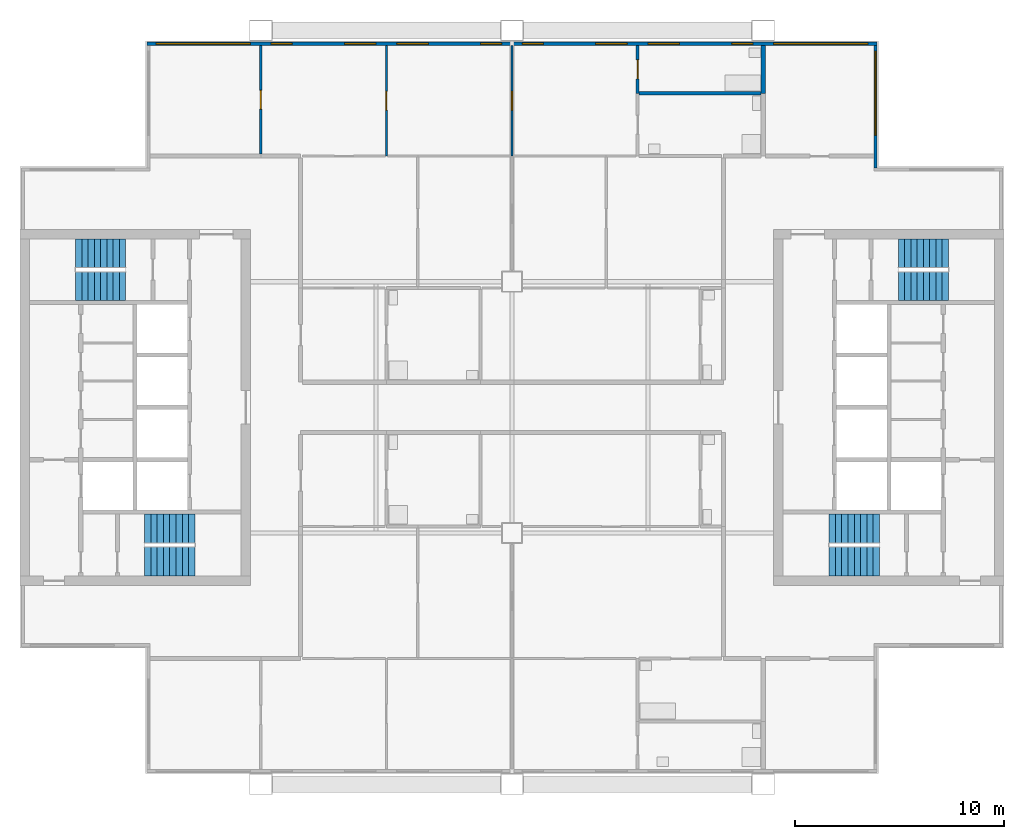
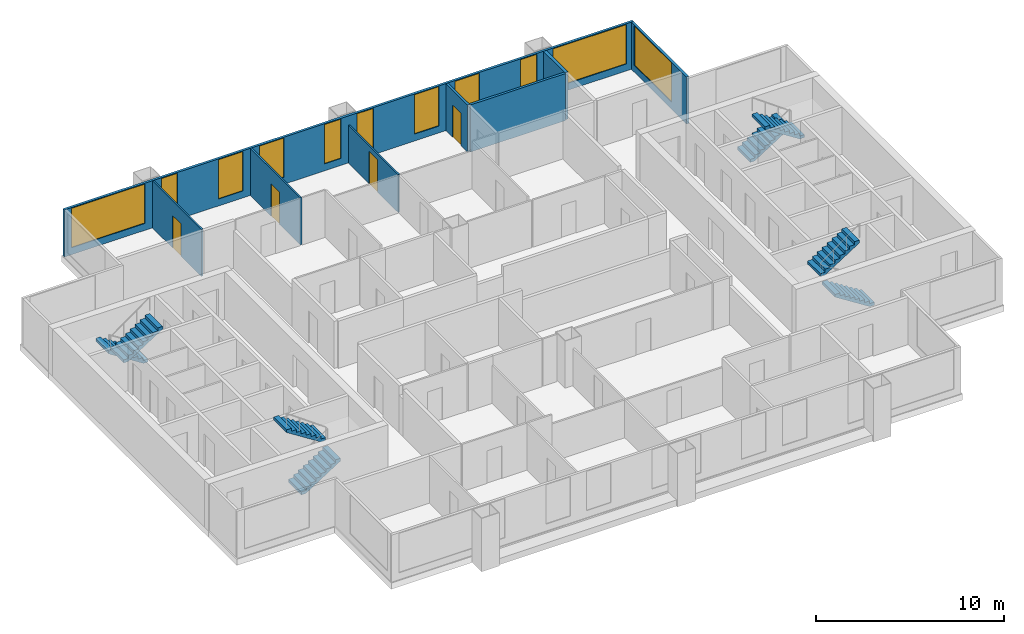
# One storey, part 6 of 8: 11 windows, 8 stair flights, 8 walls, 4 doors, 15 openings, 4 elements without a shape of their own.
"""IFC4 building model written with IfcOpenShell, lengths in metres."""

from ifc_helpers import new_model, si_unit, direction, frame, frame_2d, origin, place, context, subcontext, project, spatial, polyline, rectangle, outline, extrude, material, layer, layer_set, type_object, element, fill, aggregate, save


model = new_model("IFC4")

# Units and contexts
model_context = context("Model", 3, precision=1e-05, world=origin(), true_north=direction((0.0, 1.0)))
body_context = subcontext(model_context, "Body", "Model", "MODEL_VIEW")
ifc_project = project(units=[si_unit("LENGTHUNIT", "METRE"), si_unit("AREAUNIT", "SQUARE_METRE"), si_unit("VOLUMEUNIT", "CUBIC_METRE"), si_unit("PLANEANGLEUNIT", "RADIAN"), si_unit("MASSUNIT", "GRAM", prefix="KILO")], contexts=[model_context])

# Site, building, storey
site_placement = place(None, origin())
site = spatial("IfcSite", under=ifc_project, at=site_placement, CompositionType="ELEMENT")
building_placement = place(site_placement, origin())
building = spatial("IfcBuilding", under=site, at=building_placement, Name="Kitamizu Gate Tower and Museum", CompositionType="ELEMENT")
storey_placement = place(building_placement, frame((0.0, 0.0, 231.75)))
storey = spatial("IfcBuildingStorey", under=building, at=storey_placement, Name="L62", CompositionType="ELEMENT", Elevation=231.75)

# Wall, opening, door
ifc_material_1 = material(Name="Gypsum board on galvanised stud")
ifc_layer_1 = layer(ifc_material_1, 0.10009765625)
ifc_layer_set_1 = layer_set([ifc_layer_1], Name="Gypsum board on galvanised stud")
wall_type_1 = type_object("IfcWallType", Name="Partition 100 NOT RATED", PredefinedType="PARTITIONING", material=ifc_layer_set_1)
wall_1_placement = place(storey_placement, frame((24.0, 42.10009765625, 0.0), z_axis=(0.0, 0.0, 1.0), x_axis=(0.0, 1.0, 0.0)))
wall_1 = element("IfcWall", 1, at=wall_1_placement, inside=storey, type_object=wall_type_1, Name="Partition L62-038", PredefinedType="PARTITIONING", context=body_context, shape_type="SweptSolid", body=[
    extrude(rectangle(XDim=5.179931640625, YDim=0.10009765625, at=frame_2d((2.58984375, 0.0))), origin(), (0.0, 0.0, 1.0), 3.050048828125),
])
opening_1_placement = place(wall_1_placement, frame((2.139892578125, 0.0, 0.0)))
opening_1 = element("IfcOpeningElement", 2, at=opening_1_placement, cuts=wall_1, Name="Opening L62-027", PredefinedType="OPENING", context=body_context, shape_type="SweptSolid", body=[
    extrude(rectangle(XDim=0.89990234375, YDim=2.10009765625, at=frame_2d((0.449951171875, 1.050048828125))), frame((0.0, 0.06005859375, 0.0), z_axis=(0.0, -1.0, 0.0), x_axis=(1.0, 0.0, 0.0)), (0.0, 0.0, 1.0), 0.1201171875),
])
ifc_material_2 = material(Name="Timber door set", Category="wood")
door_type_1 = type_object("IfcDoorType", Name="Room door 900", OperationType="NOTDEFINED", PredefinedType="DOOR", material=ifc_material_2)
door_1_placement = place(opening_1_placement, origin())
door_1 = element("IfcDoor", 3, at=door_1_placement, inside=storey, type_object=door_type_1, Name="Door L62-027", OperationType="SINGLE_SWING_RIGHT", OverallHeight=2.10009765625, OverallWidth=0.89990234375, PredefinedType="DOOR", context=body_context, shape_type="SweptSolid", body=[
    extrude(rectangle(XDim=0.89990234375, YDim=2.10009765625, at=frame_2d((0.449951171875, 1.050048828125))), frame((0.0, 0.02490234375, 0.0), z_axis=(0.0, -1.0, 0.0), x_axis=(1.0, 0.0, 0.0)), (0.0, 0.0, 1.0), 0.050048828125),
])
fill(opening_1, door_1)

wall_2_placement = place(storey_placement, frame((30.0, 42.0, 0.0), z_axis=(0.0, 0.0, 1.0), x_axis=(0.0, 1.0, 0.0)))
wall_2 = element("IfcWall", 4, at=wall_2_placement, inside=storey, type_object=wall_type_1, Name="Partition L62-040", PredefinedType="PARTITIONING", context=body_context, shape_type="SweptSolid", body=[
    extrude(rectangle(XDim=5.280029296875, YDim=0.10009765625, at=frame_2d((2.64013671875, 0.0))), origin(), (0.0, 0.0, 1.0), 3.050048828125),
])
opening_2_placement = place(wall_2_placement, frame((2.18994140625, 0.0, 0.0)))
opening_2 = element("IfcOpeningElement", 5, at=opening_2_placement, cuts=wall_2, Name="Opening L62-018", PredefinedType="OPENING", context=body_context, shape_type="SweptSolid", body=[
    extrude(rectangle(XDim=0.89990234375, YDim=2.10009765625, at=frame_2d((0.449951171875, 1.050048828125))), frame((0.0, 0.06005859375, 0.0), z_axis=(0.0, -1.0, 0.0), x_axis=(1.0, 0.0, 0.0)), (0.0, 0.0, 1.0), 0.1201171875),
])
door_2_placement = place(opening_2_placement, origin())
door_2 = element("IfcDoor", 6, at=door_2_placement, inside=storey, type_object=door_type_1, Name="Door L62-018", OperationType="SINGLE_SWING_LEFT", OverallHeight=2.10009765625, OverallWidth=0.89990234375, PredefinedType="DOOR", context=body_context, shape_type="SweptSolid", body=[
    extrude(rectangle(XDim=0.89990234375, YDim=2.10009765625, at=frame_2d((0.449951171875, 1.050048828125))), frame((0.0, 0.02490234375, 0.0), z_axis=(0.0, -1.0, 0.0), x_axis=(1.0, 0.0, 0.0)), (0.0, 0.0, 1.0), 0.050048828125),
])
fill(opening_2, door_2)

wall_3_placement = place(storey_placement, frame((36.0, 42.0, 0.0), z_axis=(0.0, 0.0, 1.0), x_axis=(0.0, 1.0, 0.0)))
wall_3 = element("IfcWall", 7, at=wall_3_placement, inside=storey, type_object=wall_type_1, Name="Partition L62-043", PredefinedType="PARTITIONING", context=body_context, shape_type="SweptSolid", body=[
    extrude(rectangle(XDim=5.280029296875, YDim=0.10009765625, at=frame_2d((2.64013671875, 0.0))), origin(), (0.0, 0.0, 1.0), 2.449951171875),
])
opening_3_placement = place(wall_3_placement, frame((2.18994140625, 0.0, 0.0)))
opening_3 = element("IfcOpeningElement", 8, at=opening_3_placement, cuts=wall_3, Name="Opening L62-019", PredefinedType="OPENING", context=body_context, shape_type="SweptSolid", body=[
    extrude(rectangle(XDim=0.89990234375, YDim=2.10009765625, at=frame_2d((0.449951171875, 1.050048828125))), frame((0.0, 0.06005859375, 0.0), z_axis=(0.0, -1.0, 0.0), x_axis=(1.0, 0.0, 0.0)), (0.0, 0.0, 1.0), 0.1201171875),
])
door_3_placement = place(opening_3_placement, origin())
door_3 = element("IfcDoor", 9, at=door_3_placement, inside=storey, type_object=door_type_1, Name="Door L62-019", OperationType="SINGLE_SWING_RIGHT", OverallHeight=2.10009765625, OverallWidth=0.89990234375, PredefinedType="DOOR", context=body_context, shape_type="SweptSolid", body=[
    extrude(rectangle(XDim=0.89990234375, YDim=2.10009765625, at=frame_2d((0.449951171875, 1.050048828125))), frame((0.0, 0.02490234375, 0.0), z_axis=(0.0, -1.0, 0.0), x_axis=(1.0, 0.0, 0.0)), (0.0, 0.0, 1.0), 0.050048828125),
])
fill(opening_3, door_3)

ifc_material_3 = material(Name="Gypsum board on galvanised stud")
ifc_layer_2 = layer(ifc_material_3, 0.14990234375)
ifc_layer_set_2 = layer_set([ifc_layer_2], Name="Gypsum board on galvanised stud")
wall_type_2 = type_object("IfcWallType", Name="Partition 150", PredefinedType="PARTITIONING", material=ifc_layer_set_2)
wall_4_placement = place(storey_placement, frame((42.0, 45.0, 0.0), z_axis=(0.0, 0.0, 1.0), x_axis=(0.0, 1.0, 0.0)))
wall_4 = element("IfcWall", 10, at=wall_4_placement, inside=storey, type_object=wall_type_2, Name="Partition L62-047", PredefinedType="PARTITIONING", context=body_context, shape_type="SweptSolid", body=[
    extrude(rectangle(XDim=2.280029296875, YDim=0.14990234375, at=frame_2d((1.14013671875, 0.0))), origin(), (0.0, 0.0, 1.0), 3.050048828125),
])
opening_4_placement = place(wall_4_placement, frame((0.68994140625, 0.0, 0.0)))
opening_4 = element("IfcOpeningElement", 11, at=opening_4_placement, cuts=wall_4, Name="Opening L62-021", PredefinedType="OPENING", context=body_context, shape_type="SweptSolid", body=[
    extrude(rectangle(XDim=0.89990234375, YDim=2.10009765625, at=frame_2d((0.449951171875, 1.050048828125))), frame((0.0, 0.0849609375, 0.0), z_axis=(0.0, -1.0, 0.0), x_axis=(1.0, 0.0, 0.0)), (0.0, 0.0, 1.0), 0.169921875),
])
ifc_material_4 = material(Name="Timber door set", Category="wood")
door_type_2 = type_object("IfcDoorType", Name="Bathroom door 900", OperationType="NOTDEFINED", PredefinedType="DOOR", material=ifc_material_4)
door_4_placement = place(opening_4_placement, frame((0.89990234375, 0.0, 0.0), x_axis=(-1.0, 0.0, 0.0)))
door_4 = element("IfcDoor", 12, at=door_4_placement, inside=storey, type_object=door_type_2, Name="Bathroom door L62-021", OperationType="SINGLE_SWING_LEFT", OverallHeight=2.10009765625, OverallWidth=0.89990234375, PredefinedType="DOOR", context=body_context, shape_type="SweptSolid", body=[
    extrude(rectangle(XDim=0.89990234375, YDim=2.10009765625, at=frame_2d((0.449951171875, 1.050048828125))), frame((0.0, 0.02490234375, 0.0), z_axis=(0.0, -1.0, 0.0), x_axis=(1.0, 0.0, 0.0)), (0.0, 0.0, 1.0), 0.050048828125),
])
fill(opening_4, door_4)

# Walls
wall_5_placement = place(storey_placement, frame((47.89990234375, 45.0, 0.0), z_axis=(0.0, 0.0, 1.0), x_axis=(-1.0, 0.0, 0.0)))
element("IfcWall", 13, at=wall_5_placement, inside=storey, type_object=wall_type_2, Name="Partition L62-050", PredefinedType="PARTITIONING", context=body_context, shape_type="SweptSolid", body=[
    extrude(rectangle(XDim=5.824951171875, YDim=0.14990234375, at=frame_2d((2.91259765625, 0.0))), origin(), (0.0, 0.0, 1.0), 3.050048828125),
])
ifc_material_5 = material(Name="Gypsum board on galvanised stud")
ifc_layer_3 = layer(ifc_material_5, 0.199951171875)
ifc_layer_set_3 = layer_set([ifc_layer_3], Name="Gypsum board on galvanised stud")
wall_type_3 = type_object("IfcWallType", Name="Partition 200", PredefinedType="PARTITIONING", material=ifc_layer_set_3)
wall_6_placement = place(storey_placement, frame((48.0, 45.0, 0.0), z_axis=(0.0, 0.0, 1.0), x_axis=(0.0, 1.0, 0.0)))
element("IfcWall", 14, at=wall_6_placement, inside=storey, type_object=wall_type_3, Name="Partition L62-054", PredefinedType="PARTITIONING", context=body_context, shape_type="SweptSolid", body=[
    extrude(rectangle(XDim=2.280029296875, YDim=0.199951171875, at=frame_2d((1.14013671875, 0.0))), origin(), (0.0, 0.0, 1.0), 3.050048828125),
])

# Wall, opening, window
ifc_material_6 = material(Name="Bronze anodised aluminium frame with insulated spandrel and tinted glass", Category="aluminium")
ifc_layer_4 = layer(ifc_material_6, 0.14990234375)
ifc_layer_set_4 = layer_set([ifc_layer_4], Name="Bronze anodised aluminium frame with insulated spandrel and tinted glass")
wall_type_4 = type_object("IfcWallType", Name="WINDOW WALL 150 BRONZE FRAME EI 30", PredefinedType="ELEMENTEDWALL", material=ifc_layer_set_4)
wall_7_placement = place(storey_placement, frame((53.364990234375, 41.43994140625, 0.0), z_axis=(0.0, 0.0, 1.0), x_axis=(0.0, 1.0, 0.0)))
wall_7 = element("IfcWall", 15, at=wall_7_placement, inside=storey, type_object=wall_type_4, Name="Window wall east L62", PredefinedType="ELEMENTEDWALL", context=body_context, shape_type="SweptSolid", body=[
    extrude(rectangle(XDim=5.85009765625, YDim=0.14990234375, at=frame_2d((2.925048828125, 0.0))), origin(), (0.0, 0.0, 1.0), 3.050048828125),
])
opening_5_placement = place(wall_7_placement, frame((1.56005859375, 0.0, 0.449951171875)))
opening_5 = element("IfcOpeningElement", 16, at=opening_5_placement, cuts=wall_7, Name="Opening W16", PredefinedType="OPENING", context=body_context, shape_type="SweptSolid", body=[
    extrude(rectangle(XDim=4.0, YDim=2.550048828125, at=frame_2d((2.0, 1.27490234375))), frame((0.0, 0.0849609375, 0.0), z_axis=(0.0, -1.0, 0.0), x_axis=(1.0, 0.0, 0.0)), (0.0, 0.0, 1.0), 0.169921875),
])
ifc_material_7 = material(Name="Bronze anodised aluminium frame, tinted triple glazing", Category="aluminium")
window_type_1 = type_object("IfcWindowType", Name="WINDOW 4000 x 2550 SILL 450", PartitioningType="SINGLE_PANEL", PredefinedType="WINDOW", material=ifc_material_7)
window_1_placement = place(opening_5_placement, origin())
window_1 = element("IfcWindow", 17, at=window_1_placement, inside=storey, type_object=window_type_1, Name="Window W16 L62", OverallHeight=2.550048828125, OverallWidth=4.0, PartitioningType="SINGLE_PANEL", PredefinedType="WINDOW", context=body_context, shape_type="SweptSolid", body=[
    extrude(rectangle(XDim=4.0, YDim=2.550048828125, at=frame_2d((2.0, 1.27490234375))), frame((0.0, 0.030029296875, 0.0), z_axis=(0.0, -1.0, 0.0), x_axis=(1.0, 0.0, 0.0)), (0.0, 0.0, 1.0), 0.06005859375),
])
fill(opening_5, window_1)

# Wall, openings, windows
wall_8_placement = place(storey_placement, frame((18.56005859375, 47.364990234375, 0.0), z_axis=(0.0, 0.0, 1.0), x_axis=(1.0, 0.0, 0.0)))
wall_8 = element("IfcWall", 18, at=wall_8_placement, inside=storey, type_object=wall_type_4, Name="Window wall north L62", PredefinedType="ELEMENTEDWALL", context=body_context, shape_type="SweptSolid", body=[
    extrude(rectangle(XDim=34.8798828125, YDim=0.14990234375, at=frame_2d((17.43994140625, 0.0))), origin(), (0.0, 0.0, 1.0), 3.050048828125),
])
opening_6_placement = place(wall_8_placement, frame((0.43994140625, 0.0, 0.449951171875)))
opening_6 = element("IfcOpeningElement", 19, at=opening_6_placement, cuts=wall_8, Name="Opening W15", PredefinedType="OPENING", context=body_context, shape_type="SweptSolid", body=[
    extrude(rectangle(XDim=4.5, YDim=2.550048828125, at=frame_2d((2.25, 1.27490234375))), frame((0.0, 0.0849609375, 0.0), z_axis=(0.0, -1.0, 0.0), x_axis=(1.0, 0.0, 0.0)), (0.0, 0.0, 1.0), 0.169921875),
])
opening_7_placement = place(wall_8_placement, frame((5.93994140625, 0.0, 0.449951171875)))
opening_7 = element("IfcOpeningElement", 20, at=opening_7_placement, cuts=wall_8, Name="Opening W26", PredefinedType="OPENING", context=body_context, shape_type="SweptSolid", body=[
    extrude(rectangle(XDim=1.0, YDim=2.550048828125, at=frame_2d((0.5, 1.27490234375))), frame((0.0, 0.0849609375, 0.0), z_axis=(0.0, -1.0, 0.0), x_axis=(1.0, 0.0, 0.0)), (0.0, 0.0, 1.0), 0.169921875),
])
opening_8_placement = place(wall_8_placement, frame((9.43994140625, 0.0, 0.449951171875)))
opening_8 = element("IfcOpeningElement", 21, at=opening_8_placement, cuts=wall_8, Name="Opening W28", PredefinedType="OPENING", context=body_context, shape_type="SweptSolid", body=[
    extrude(rectangle(XDim=1.5, YDim=2.550048828125, at=frame_2d((0.75, 1.27490234375))), frame((0.0, 0.0849609375, 0.0), z_axis=(0.0, -1.0, 0.0), x_axis=(1.0, 0.0, 0.0)), (0.0, 0.0, 1.0), 0.169921875),
])
opening_9_placement = place(wall_8_placement, frame((11.93994140625, 0.0, 0.449951171875)))
opening_9 = element("IfcOpeningElement", 22, at=opening_9_placement, cuts=wall_8, Name="Opening W28", PredefinedType="OPENING", context=body_context, shape_type="SweptSolid", body=[
    extrude(rectangle(XDim=1.5, YDim=2.550048828125, at=frame_2d((0.75, 1.27490234375))), frame((0.0, 0.0849609375, 0.0), z_axis=(0.0, -1.0, 0.0), x_axis=(1.0, 0.0, 0.0)), (0.0, 0.0, 1.0), 0.169921875),
])
opening_10_placement = place(wall_8_placement, frame((15.93994140625, 0.0, 0.449951171875)))
opening_10 = element("IfcOpeningElement", 23, at=opening_10_placement, cuts=wall_8, Name="Opening W26", PredefinedType="OPENING", context=body_context, shape_type="SweptSolid", body=[
    extrude(rectangle(XDim=1.0, YDim=2.550048828125, at=frame_2d((0.5, 1.27490234375))), frame((0.0, 0.0849609375, 0.0), z_axis=(0.0, -1.0, 0.0), x_axis=(1.0, 0.0, 0.0)), (0.0, 0.0, 1.0), 0.169921875),
])
opening_11_placement = place(wall_8_placement, frame((17.93994140625, 0.0, 0.449951171875)))
opening_11 = element("IfcOpeningElement", 24, at=opening_11_placement, cuts=wall_8, Name="Opening W26", PredefinedType="OPENING", context=body_context, shape_type="SweptSolid", body=[
    extrude(rectangle(XDim=1.0, YDim=2.550048828125, at=frame_2d((0.5, 1.27490234375))), frame((0.0, 0.0849609375, 0.0), z_axis=(0.0, -1.0, 0.0), x_axis=(1.0, 0.0, 0.0)), (0.0, 0.0, 1.0), 0.169921875),
])
opening_12_placement = place(wall_8_placement, frame((21.43994140625, 0.0, 0.449951171875)))
opening_12 = element("IfcOpeningElement", 25, at=opening_12_placement, cuts=wall_8, Name="Opening W28", PredefinedType="OPENING", context=body_context, shape_type="SweptSolid", body=[
    extrude(rectangle(XDim=1.5, YDim=2.550048828125, at=frame_2d((0.75, 1.27490234375))), frame((0.0, 0.0849609375, 0.0), z_axis=(0.0, -1.0, 0.0), x_axis=(1.0, 0.0, 0.0)), (0.0, 0.0, 1.0), 0.169921875),
])
opening_13_placement = place(wall_8_placement, frame((23.93994140625, 0.0, 0.449951171875)))
opening_13 = element("IfcOpeningElement", 26, at=opening_13_placement, cuts=wall_8, Name="Opening W28", PredefinedType="OPENING", context=body_context, shape_type="SweptSolid", body=[
    extrude(rectangle(XDim=1.5, YDim=2.550048828125, at=frame_2d((0.75, 1.27490234375))), frame((0.0, 0.0849609375, 0.0), z_axis=(0.0, -1.0, 0.0), x_axis=(1.0, 0.0, 0.0)), (0.0, 0.0, 1.0), 0.169921875),
])
opening_14_placement = place(wall_8_placement, frame((27.93994140625, 0.0, 0.449951171875)))
opening_14 = element("IfcOpeningElement", 27, at=opening_14_placement, cuts=wall_8, Name="Opening W26", PredefinedType="OPENING", context=body_context, shape_type="SweptSolid", body=[
    extrude(rectangle(XDim=1.0, YDim=2.550048828125, at=frame_2d((0.5, 1.27490234375))), frame((0.0, 0.0849609375, 0.0), z_axis=(0.0, -1.0, 0.0), x_axis=(1.0, 0.0, 0.0)), (0.0, 0.0, 1.0), 0.169921875),
])
opening_15_placement = place(wall_8_placement, frame((29.93994140625, 0.0, 0.449951171875)))
opening_15 = element("IfcOpeningElement", 28, at=opening_15_placement, cuts=wall_8, Name="Opening W15", PredefinedType="OPENING", context=body_context, shape_type="SweptSolid", body=[
    extrude(rectangle(XDim=4.5, YDim=2.550048828125, at=frame_2d((2.25, 1.27490234375))), frame((0.0, 0.0849609375, 0.0), z_axis=(0.0, -1.0, 0.0), x_axis=(1.0, 0.0, 0.0)), (0.0, 0.0, 1.0), 0.169921875),
])
ifc_material_8 = material(Name="Bronze anodised aluminium frame, tinted triple glazing", Category="aluminium")
window_type_2 = type_object("IfcWindowType", Name="WINDOW 1000 x 2550 SILL 450", PartitioningType="SINGLE_PANEL", PredefinedType="WINDOW", material=ifc_material_8)
window_2_placement = place(opening_7_placement, origin())
window_2 = element("IfcWindow", 29, at=window_2_placement, inside=storey, type_object=window_type_2, Name="Window W26 L62", OverallHeight=2.550048828125, OverallWidth=1.0, PartitioningType="SINGLE_PANEL", PredefinedType="WINDOW", context=body_context, shape_type="SweptSolid", body=[
    extrude(rectangle(XDim=1.0, YDim=2.550048828125, at=frame_2d((0.5, 1.27490234375))), frame((0.0, 0.030029296875, 0.0), z_axis=(0.0, -1.0, 0.0), x_axis=(1.0, 0.0, 0.0)), (0.0, 0.0, 1.0), 0.06005859375),
])
fill(opening_7, window_2)
window_3_placement = place(opening_10_placement, origin())
window_3 = element("IfcWindow", 30, at=window_3_placement, inside=storey, type_object=window_type_2, Name="Window W26 L62", OverallHeight=2.550048828125, OverallWidth=1.0, PartitioningType="SINGLE_PANEL", PredefinedType="WINDOW", context=body_context, shape_type="SweptSolid", body=[
    extrude(rectangle(XDim=1.0, YDim=2.550048828125, at=frame_2d((0.5, 1.27490234375))), frame((0.0, 0.030029296875, 0.0), z_axis=(0.0, -1.0, 0.0), x_axis=(1.0, 0.0, 0.0)), (0.0, 0.0, 1.0), 0.06005859375),
])
fill(opening_10, window_3)
window_4_placement = place(opening_11_placement, origin())
window_4 = element("IfcWindow", 31, at=window_4_placement, inside=storey, type_object=window_type_2, Name="Window W26 L62", OverallHeight=2.550048828125, OverallWidth=1.0, PartitioningType="SINGLE_PANEL", PredefinedType="WINDOW", context=body_context, shape_type="SweptSolid", body=[
    extrude(rectangle(XDim=1.0, YDim=2.550048828125, at=frame_2d((0.5, 1.27490234375))), frame((0.0, 0.030029296875, 0.0), z_axis=(0.0, -1.0, 0.0), x_axis=(1.0, 0.0, 0.0)), (0.0, 0.0, 1.0), 0.06005859375),
])
fill(opening_11, window_4)
window_5_placement = place(opening_14_placement, origin())
window_5 = element("IfcWindow", 32, at=window_5_placement, inside=storey, type_object=window_type_2, Name="Window W26 L62", OverallHeight=2.550048828125, OverallWidth=1.0, PartitioningType="SINGLE_PANEL", PredefinedType="WINDOW", context=body_context, shape_type="SweptSolid", body=[
    extrude(rectangle(XDim=1.0, YDim=2.550048828125, at=frame_2d((0.5, 1.27490234375))), frame((0.0, 0.030029296875, 0.0), z_axis=(0.0, -1.0, 0.0), x_axis=(1.0, 0.0, 0.0)), (0.0, 0.0, 1.0), 0.06005859375),
])
fill(opening_14, window_5)
ifc_material_9 = material(Name="Bronze anodised aluminium frame, tinted triple glazing", Category="aluminium")
window_type_3 = type_object("IfcWindowType", Name="WINDOW 1500 x 2550 SILL 450", PartitioningType="SINGLE_PANEL", PredefinedType="WINDOW", material=ifc_material_9)
window_6_placement = place(opening_8_placement, origin())
window_6 = element("IfcWindow", 33, at=window_6_placement, inside=storey, type_object=window_type_3, Name="Window W28 L62", OverallHeight=2.550048828125, OverallWidth=1.5, PartitioningType="SINGLE_PANEL", PredefinedType="WINDOW", context=body_context, shape_type="SweptSolid", body=[
    extrude(rectangle(XDim=1.5, YDim=2.550048828125, at=frame_2d((0.75, 1.27490234375))), frame((0.0, 0.030029296875, 0.0), z_axis=(0.0, -1.0, 0.0), x_axis=(1.0, 0.0, 0.0)), (0.0, 0.0, 1.0), 0.06005859375),
])
fill(opening_8, window_6)
window_7_placement = place(opening_9_placement, origin())
window_7 = element("IfcWindow", 34, at=window_7_placement, inside=storey, type_object=window_type_3, Name="Window W28 L62", OverallHeight=2.550048828125, OverallWidth=1.5, PartitioningType="SINGLE_PANEL", PredefinedType="WINDOW", context=body_context, shape_type="SweptSolid", body=[
    extrude(rectangle(XDim=1.5, YDim=2.550048828125, at=frame_2d((0.75, 1.27490234375))), frame((0.0, 0.030029296875, 0.0), z_axis=(0.0, -1.0, 0.0), x_axis=(1.0, 0.0, 0.0)), (0.0, 0.0, 1.0), 0.06005859375),
])
fill(opening_9, window_7)
window_8_placement = place(opening_12_placement, origin())
window_8 = element("IfcWindow", 35, at=window_8_placement, inside=storey, type_object=window_type_3, Name="Window W28 L62", OverallHeight=2.550048828125, OverallWidth=1.5, PartitioningType="SINGLE_PANEL", PredefinedType="WINDOW", context=body_context, shape_type="SweptSolid", body=[
    extrude(rectangle(XDim=1.5, YDim=2.550048828125, at=frame_2d((0.75, 1.27490234375))), frame((0.0, 0.030029296875, 0.0), z_axis=(0.0, -1.0, 0.0), x_axis=(1.0, 0.0, 0.0)), (0.0, 0.0, 1.0), 0.06005859375),
])
fill(opening_12, window_8)
window_9_placement = place(opening_13_placement, origin())
window_9 = element("IfcWindow", 36, at=window_9_placement, inside=storey, type_object=window_type_3, Name="Window W28 L62", OverallHeight=2.550048828125, OverallWidth=1.5, PartitioningType="SINGLE_PANEL", PredefinedType="WINDOW", context=body_context, shape_type="SweptSolid", body=[
    extrude(rectangle(XDim=1.5, YDim=2.550048828125, at=frame_2d((0.75, 1.27490234375))), frame((0.0, 0.030029296875, 0.0), z_axis=(0.0, -1.0, 0.0), x_axis=(1.0, 0.0, 0.0)), (0.0, 0.0, 1.0), 0.06005859375),
])
fill(opening_13, window_9)
ifc_material_10 = material(Name="Bronze anodised aluminium frame, tinted triple glazing", Category="aluminium")
window_type_4 = type_object("IfcWindowType", Name="WINDOW 4500 x 2550 SILL 450", PartitioningType="SINGLE_PANEL", PredefinedType="WINDOW", material=ifc_material_10)
window_10_placement = place(opening_6_placement, origin())
window_10 = element("IfcWindow", 37, at=window_10_placement, inside=storey, type_object=window_type_4, Name="Window W15 L62", OverallHeight=2.550048828125, OverallWidth=4.5, PartitioningType="SINGLE_PANEL", PredefinedType="WINDOW", context=body_context, shape_type="SweptSolid", body=[
    extrude(rectangle(XDim=4.5, YDim=2.550048828125, at=frame_2d((2.25, 1.27490234375))), frame((0.0, 0.030029296875, 0.0), z_axis=(0.0, -1.0, 0.0), x_axis=(1.0, 0.0, 0.0)), (0.0, 0.0, 1.0), 0.06005859375),
])
fill(opening_6, window_10)
window_11_placement = place(opening_15_placement, origin())
window_11 = element("IfcWindow", 38, at=window_11_placement, inside=storey, type_object=window_type_4, Name="Window W15 L62", OverallHeight=2.550048828125, OverallWidth=4.5, PartitioningType="SINGLE_PANEL", PredefinedType="WINDOW", context=body_context, shape_type="SweptSolid", body=[
    extrude(rectangle(XDim=4.5, YDim=2.550048828125, at=frame_2d((2.25, 1.27490234375))), frame((0.0, 0.030029296875, 0.0), z_axis=(0.0, -1.0, 0.0), x_axis=(1.0, 0.0, 0.0)), (0.0, 0.0, 1.0), 0.06005859375),
])
fill(opening_15, window_11)

# Stair, stair flights
ifc_material_11 = material(Name="Concrete Fc42", Category="concrete")
stair_type = type_object("IfcStairType", Name="Exit stair 1375 wide 192 rise 300 going", PredefinedType="HALF_TURN_STAIR", material=ifc_material_11)
stair_1_placement = place(storey_placement, origin())
stair_1 = element("IfcStair", 39, at=stair_1_placement, inside=storey, type_object=stair_type, Name="Exit stair ST1", PredefinedType="HALF_TURN_STAIR")
ifc_material_12 = material(Name="Concrete Fc42", Category="concrete")
stair_flight_type = type_object("IfcStairFlightType", Name="Stair flight 1375 wide 192 rise 300 going", PredefinedType="STRAIGHT", material=ifc_material_12)
stair_flight_1_placement = place(storey_placement, frame((18.449951171875, 22.637451171875, 0.0), z_axis=(0.0, 0.0, 1.0), x_axis=(1.0, 0.0, 0.0)))
stair_flight_1 = element("IfcStairFlight", 40, at=stair_flight_1_placement, type_object=stair_flight_type, Name="ST1 flight 1", NumberOfRisers=9, NumberOfTreads=8, PredefinedType="STRAIGHT", RiserHeight=0.191666667, TreadLength=0.3, context=body_context, shape_type="SweptSolid", body=[
    extrude(outline(polyline([(0.0, 0.0), (0.0, 0.191650390625), (0.300048828125, 0.191650390625), (0.300048828125, 0.38330078125), (0.60009765625, 0.38330078125), (0.60009765625, 0.574951171875), (0.89990234375, 0.574951171875), (0.89990234375, 0.7666015625), (1.199951171875, 0.7666015625), (1.199951171875, 0.958251953125), (1.5, 0.958251953125), (1.5, 1.14990234375), (1.800048828125, 1.14990234375), (1.800048828125, 1.341552734375), (2.10009765625, 1.341552734375), (2.10009765625, 1.533447265625), (2.39990234375, 1.533447265625), (2.39990234375, 1.72509765625), (2.39990234375, 1.35546875), (0.2783203125, 0.0), (0.0, 0.0)])), frame((0.0, 0.6875, 0.0), z_axis=(0.0, -1.0, 0.0), x_axis=(1.0, 0.0, 0.0)), (0.0, 0.0, 1.0), 1.375),
])
stair_flight_2_placement = place(storey_placement, frame((20.85009765625, 24.21240234375, 1.72509765625), z_axis=(0.0, 0.0, 1.0), x_axis=(-1.0, 0.0, 0.0)))
stair_flight_2 = element("IfcStairFlight", 41, at=stair_flight_2_placement, type_object=stair_flight_type, Name="ST1 flight 2", NumberOfRisers=9, NumberOfTreads=8, PredefinedType="STRAIGHT", RiserHeight=0.191666667, TreadLength=0.3, context=body_context, shape_type="SweptSolid", body=[
    extrude(outline(polyline([(0.0, 0.0), (0.0, 0.191650390625), (0.300048828125, 0.191650390625), (0.300048828125, 0.38330078125), (0.60009765625, 0.38330078125), (0.60009765625, 0.574951171875), (0.89990234375, 0.574951171875), (0.89990234375, 0.7666015625), (1.199951171875, 0.7666015625), (1.199951171875, 0.958251953125), (1.5, 0.958251953125), (1.5, 1.14990234375), (1.800048828125, 1.14990234375), (1.800048828125, 1.341552734375), (2.10009765625, 1.341552734375), (2.10009765625, 1.533447265625), (2.39990234375, 1.533447265625), (2.39990234375, 1.72509765625), (2.39990234375, 1.35546875), (0.2783203125, 0.0), (0.0, 0.0)])), frame((0.0, 0.6875, 0.0), z_axis=(0.0, -1.0, 0.0), x_axis=(1.0, 0.0, 0.0)), (0.0, 0.0, 1.0), 1.375),
])
aggregate(stair_1, [stair_flight_1, stair_flight_2])

stair_2_placement = place(storey_placement, origin())
stair_2 = element("IfcStair", 42, at=stair_2_placement, inside=storey, type_object=stair_type, Name="Exit stair ST2", PredefinedType="HALF_TURN_STAIR")
stair_flight_3_placement = place(storey_placement, frame((17.550048828125, 37.362548828125, 0.0), z_axis=(0.0, 0.0, 1.0), x_axis=(-1.0, 0.0, 0.0)))
stair_flight_3 = element("IfcStairFlight", 43, at=stair_flight_3_placement, type_object=stair_flight_type, Name="ST2 flight 1", NumberOfRisers=9, NumberOfTreads=8, PredefinedType="STRAIGHT", RiserHeight=0.191666667, TreadLength=0.3, context=body_context, shape_type="SweptSolid", body=[
    extrude(outline(polyline([(0.0, 0.0), (0.0, 0.191650390625), (0.300048828125, 0.191650390625), (0.300048828125, 0.38330078125), (0.60009765625, 0.38330078125), (0.60009765625, 0.574951171875), (0.89990234375, 0.574951171875), (0.89990234375, 0.7666015625), (1.199951171875, 0.7666015625), (1.199951171875, 0.958251953125), (1.5, 0.958251953125), (1.5, 1.14990234375), (1.800048828125, 1.14990234375), (1.800048828125, 1.341552734375), (2.10009765625, 1.341552734375), (2.10009765625, 1.533447265625), (2.39990234375, 1.533447265625), (2.39990234375, 1.72509765625), (2.39990234375, 1.35546875), (0.2783203125, 0.0), (0.0, 0.0)])), frame((0.0, 0.6875, 0.0), z_axis=(0.0, -1.0, 0.0), x_axis=(1.0, 0.0, 0.0)), (0.0, 0.0, 1.0), 1.375),
])
stair_flight_4_placement = place(storey_placement, frame((15.14990234375, 35.78759765625, 1.72509765625), z_axis=(0.0, 0.0, 1.0), x_axis=(1.0, 0.0, 0.0)))
stair_flight_4 = element("IfcStairFlight", 44, at=stair_flight_4_placement, type_object=stair_flight_type, Name="ST2 flight 2", NumberOfRisers=9, NumberOfTreads=8, PredefinedType="STRAIGHT", RiserHeight=0.191666667, TreadLength=0.3, context=body_context, shape_type="SweptSolid", body=[
    extrude(outline(polyline([(0.0, 0.0), (0.0, 0.191650390625), (0.300048828125, 0.191650390625), (0.300048828125, 0.38330078125), (0.60009765625, 0.38330078125), (0.60009765625, 0.574951171875), (0.89990234375, 0.574951171875), (0.89990234375, 0.7666015625), (1.199951171875, 0.7666015625), (1.199951171875, 0.958251953125), (1.5, 0.958251953125), (1.5, 1.14990234375), (1.800048828125, 1.14990234375), (1.800048828125, 1.341552734375), (2.10009765625, 1.341552734375), (2.10009765625, 1.533447265625), (2.39990234375, 1.533447265625), (2.39990234375, 1.72509765625), (2.39990234375, 1.35546875), (0.2783203125, 0.0), (0.0, 0.0)])), frame((0.0, 0.6875, 0.0), z_axis=(0.0, -1.0, 0.0), x_axis=(1.0, 0.0, 0.0)), (0.0, 0.0, 1.0), 1.375),
])
aggregate(stair_2, [stair_flight_3, stair_flight_4])

stair_3_placement = place(storey_placement, origin())
stair_3 = element("IfcStair", 45, at=stair_3_placement, inside=storey, type_object=stair_type, Name="Exit stair ST3", PredefinedType="HALF_TURN_STAIR")
stair_flight_5_placement = place(storey_placement, frame((53.550048828125, 22.637451171875, 0.0), z_axis=(0.0, 0.0, 1.0), x_axis=(-1.0, 0.0, 0.0)))
stair_flight_5 = element("IfcStairFlight", 46, at=stair_flight_5_placement, type_object=stair_flight_type, Name="ST3 flight 1", NumberOfRisers=9, NumberOfTreads=8, PredefinedType="STRAIGHT", RiserHeight=0.191666667, TreadLength=0.3, context=body_context, shape_type="SweptSolid", body=[
    extrude(outline(polyline([(0.0, 0.0), (0.0, 0.191650390625), (0.300048828125, 0.191650390625), (0.300048828125, 0.38330078125), (0.60009765625, 0.38330078125), (0.60009765625, 0.574951171875), (0.89990234375, 0.574951171875), (0.89990234375, 0.7666015625), (1.199951171875, 0.7666015625), (1.199951171875, 0.958251953125), (1.5, 0.958251953125), (1.5, 1.14990234375), (1.800048828125, 1.14990234375), (1.800048828125, 1.341552734375), (2.10009765625, 1.341552734375), (2.10009765625, 1.533447265625), (2.39990234375, 1.533447265625), (2.39990234375, 1.72509765625), (2.39990234375, 1.35546875), (0.2783203125, 0.0), (0.0, 0.0)])), frame((0.0, 0.6875, 0.0), z_axis=(0.0, -1.0, 0.0), x_axis=(1.0, 0.0, 0.0)), (0.0, 0.0, 1.0), 1.375),
])
stair_flight_6_placement = place(storey_placement, frame((51.14990234375, 24.21240234375, 1.72509765625), z_axis=(0.0, 0.0, 1.0), x_axis=(1.0, 0.0, 0.0)))
stair_flight_6 = element("IfcStairFlight", 47, at=stair_flight_6_placement, type_object=stair_flight_type, Name="ST3 flight 2", NumberOfRisers=9, NumberOfTreads=8, PredefinedType="STRAIGHT", RiserHeight=0.191666667, TreadLength=0.3, context=body_context, shape_type="SweptSolid", body=[
    extrude(outline(polyline([(0.0, 0.0), (0.0, 0.191650390625), (0.300048828125, 0.191650390625), (0.300048828125, 0.38330078125), (0.60009765625, 0.38330078125), (0.60009765625, 0.574951171875), (0.89990234375, 0.574951171875), (0.89990234375, 0.7666015625), (1.199951171875, 0.7666015625), (1.199951171875, 0.958251953125), (1.5, 0.958251953125), (1.5, 1.14990234375), (1.800048828125, 1.14990234375), (1.800048828125, 1.341552734375), (2.10009765625, 1.341552734375), (2.10009765625, 1.533447265625), (2.39990234375, 1.533447265625), (2.39990234375, 1.72509765625), (2.39990234375, 1.35546875), (0.2783203125, 0.0), (0.0, 0.0)])), frame((0.0, 0.6875, 0.0), z_axis=(0.0, -1.0, 0.0), x_axis=(1.0, 0.0, 0.0)), (0.0, 0.0, 1.0), 1.375),
])
aggregate(stair_3, [stair_flight_5, stair_flight_6])

stair_4_placement = place(storey_placement, origin())
stair_4 = element("IfcStair", 48, at=stair_4_placement, inside=storey, type_object=stair_type, Name="Exit stair ST4", PredefinedType="HALF_TURN_STAIR")
stair_flight_7_placement = place(storey_placement, frame((54.449951171875, 37.362548828125, 0.0), z_axis=(0.0, 0.0, 1.0), x_axis=(1.0, 0.0, 0.0)))
stair_flight_7 = element("IfcStairFlight", 49, at=stair_flight_7_placement, type_object=stair_flight_type, Name="ST4 flight 1", NumberOfRisers=9, NumberOfTreads=8, PredefinedType="STRAIGHT", RiserHeight=0.191666667, TreadLength=0.3, context=body_context, shape_type="SweptSolid", body=[
    extrude(outline(polyline([(0.0, 0.0), (0.0, 0.191650390625), (0.300048828125, 0.191650390625), (0.300048828125, 0.38330078125), (0.60009765625, 0.38330078125), (0.60009765625, 0.574951171875), (0.89990234375, 0.574951171875), (0.89990234375, 0.7666015625), (1.199951171875, 0.7666015625), (1.199951171875, 0.958251953125), (1.5, 0.958251953125), (1.5, 1.14990234375), (1.800048828125, 1.14990234375), (1.800048828125, 1.341552734375), (2.10009765625, 1.341552734375), (2.10009765625, 1.533447265625), (2.39990234375, 1.533447265625), (2.39990234375, 1.72509765625), (2.39990234375, 1.35546875), (0.2783203125, 0.0), (0.0, 0.0)])), frame((0.0, 0.6875, 0.0), z_axis=(0.0, -1.0, 0.0), x_axis=(1.0, 0.0, 0.0)), (0.0, 0.0, 1.0), 1.375),
])
stair_flight_8_placement = place(storey_placement, frame((56.85009765625, 35.78759765625, 1.72509765625), z_axis=(0.0, 0.0, 1.0), x_axis=(-1.0, 0.0, 0.0)))
stair_flight_8 = element("IfcStairFlight", 50, at=stair_flight_8_placement, type_object=stair_flight_type, Name="ST4 flight 2", NumberOfRisers=9, NumberOfTreads=8, PredefinedType="STRAIGHT", RiserHeight=0.191666667, TreadLength=0.3, context=body_context, shape_type="SweptSolid", body=[
    extrude(outline(polyline([(0.0, 0.0), (0.0, 0.191650390625), (0.300048828125, 0.191650390625), (0.300048828125, 0.38330078125), (0.60009765625, 0.38330078125), (0.60009765625, 0.574951171875), (0.89990234375, 0.574951171875), (0.89990234375, 0.7666015625), (1.199951171875, 0.7666015625), (1.199951171875, 0.958251953125), (1.5, 0.958251953125), (1.5, 1.14990234375), (1.800048828125, 1.14990234375), (1.800048828125, 1.341552734375), (2.10009765625, 1.341552734375), (2.10009765625, 1.533447265625), (2.39990234375, 1.533447265625), (2.39990234375, 1.72509765625), (2.39990234375, 1.35546875), (0.2783203125, 0.0), (0.0, 0.0)])), frame((0.0, 0.6875, 0.0), z_axis=(0.0, -1.0, 0.0), x_axis=(1.0, 0.0, 0.0)), (0.0, 0.0, 1.0), 1.375),
])
aggregate(stair_4, [stair_flight_7, stair_flight_8])

save(model, "model.ifc")
